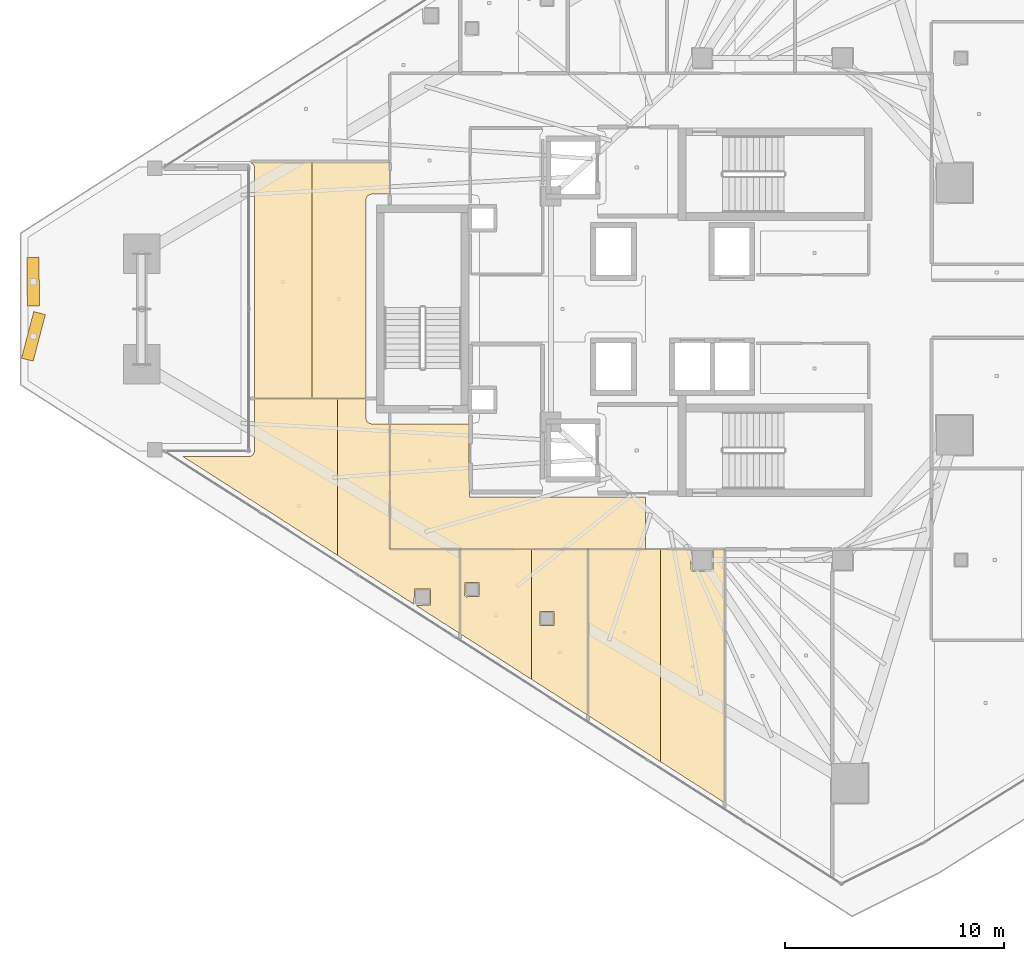
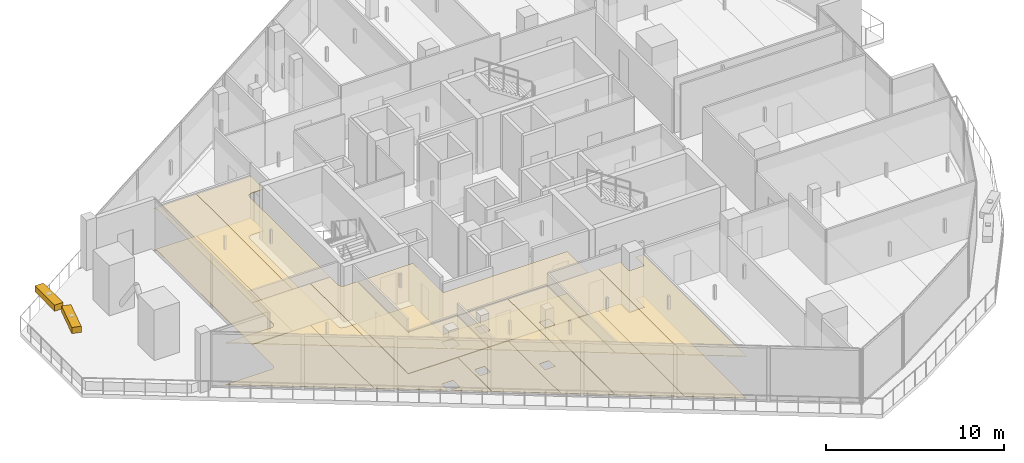
# One storey, part 27 of 32: 18 coverings, 2 shading devices.
"""IFC4 building model written with IfcOpenShell, lengths in metres."""

from ifc_helpers import new_model, si_unit, direction, frame, origin, origin_2d, place, context, subcontext, project, spatial, polyline, rectangle, outline, extrude, material, layer, layer_set, type_object, element, save


model = new_model("IFC4")

# Units and contexts
model_context = context("Model", 3, precision=1e-05, world=origin(), true_north=direction((0.0, 1.0)))
body_context = subcontext(model_context, "Body", "Model", "MODEL_VIEW")
ifc_project = project(units=[si_unit("LENGTHUNIT", "METRE"), si_unit("AREAUNIT", "SQUARE_METRE"), si_unit("VOLUMEUNIT", "CUBIC_METRE"), si_unit("PLANEANGLEUNIT", "RADIAN"), si_unit("MASSUNIT", "GRAM", prefix="KILO")], contexts=[model_context])

# Site, building, storey
site_placement = place(None, origin())
site = spatial("IfcSite", under=ifc_project, at=site_placement, CompositionType="ELEMENT")
building_placement = place(site_placement, origin())
building = spatial("IfcBuilding", under=site, at=building_placement, Name="Qorvath Tower", CompositionType="ELEMENT")
storey_placement = place(building_placement, frame((0.0, 0.0, 233.39990234375)))
storey = spatial("IfcBuildingStorey", under=building, at=storey_placement, Name="L54", CompositionType="ELEMENT", Elevation=233.39990234375)

# Coverings
ifc_material_1 = material(Name="Acoustic mineral fibre ceiling tile", Category="gypsum")
ifc_layer_1 = layer(ifc_material_1, 0.030029296875)
ifc_layer_set_1 = layer_set([ifc_layer_1], Name="COV-CEIL")
covering_type_1 = type_object("IfcCoveringType", Name="COV-CEIL", PredefinedType="CEILING", material=ifc_layer_set_1)
covering_1_placement = place(storey_placement, frame((0.0, 0.0, 2.85009765625)))
element("IfcCovering", 1, at=covering_1_placement, inside=storey, type_object=covering_type_1, Name="L54 Suspended Acoustic Ceiling 007", PredefinedType="CEILING", context=body_context, shape_type="SweptSolid", body=[
    extrude(outline(polyline([(-34.22509765625, -8.580078125), (-34.251220703125, -5.239990234375), (-37.844970703125, -5.239990234375), (-37.844970703125, -10.945068359375), (-26.183349609375, -10.945068359375), (-26.183349609375, -8.574951171875), (-34.22509765625, -8.580078125)])), origin(), (0.0, 0.0, 1.0), 0.030029296875),
])
covering_2_placement = place(storey_placement, frame((0.0, 0.0, 2.85009765625)))
element("IfcCovering", 2, at=covering_2_placement, inside=storey, type_object=covering_type_1, Name="L54 Suspended Acoustic Ceiling 019", PredefinedType="CEILING", context=body_context, shape_type="SweptSolid", body=[
    extrude(outline(polyline([(-34.64501953125, -10.962890625), (-34.64501953125, -14.8134765625), (-31.388671875, -16.89453125), (-31.388671875, -10.962890625), (-34.64501953125, -10.962890625)]), holes=[polyline([(-34.439208984375, -13.0673828125), (-34.421630859375, -12.47509765625), (-33.786865234375, -12.47509765625), (-33.786865234375, -13.10986328125), (-34.379150390625, -13.12744140625), (-34.439208984375, -13.0673828125)])]), origin(), (0.0, 0.0, 1.0), 0.030029296875),
])
covering_3_placement = place(storey_placement, frame((0.0, 0.0, 2.85009765625)))
element("IfcCovering", 3, at=covering_3_placement, inside=storey, type_object=covering_type_1, Name="L54 Suspended Acoustic Ceiling 020", PredefinedType="CEILING", context=body_context, shape_type="SweptSolid", body=[
    extrude(outline(polyline([(-31.388671875, -10.962890625), (-31.388671875, -16.89453125), (-28.816162109375, -18.538818359375), (-28.816162109375, -10.962890625), (-31.388671875, -10.962890625)]), holes=[polyline([(-30.99462890625, -14.441650390625), (-30.99462890625, -13.806884765625), (-30.35986328125, -13.806884765625), (-30.35986328125, -14.441650390625), (-30.99462890625, -14.441650390625)])]), origin(), (0.0, 0.0, 1.0), 0.030029296875),
])
covering_4_placement = place(storey_placement, frame((0.0, 0.0, 2.85009765625)))
element("IfcCovering", 4, at=covering_4_placement, inside=storey, type_object=covering_type_1, Name="L54 Suspended Acoustic Ceiling 021", PredefinedType="CEILING", context=body_context, shape_type="SweptSolid", body=[
    extrude(outline(polyline([(-28.798095703125, -10.962890625), (-28.798095703125, -18.55029296875), (-25.512451171875, -20.650390625), (-25.512451171875, -10.962890625), (-28.798095703125, -10.962890625)])), origin(), (0.0, 0.0, 1.0), 0.030029296875),
])
covering_5_placement = place(storey_placement, frame((0.0, 0.0, 2.85009765625)))
element("IfcCovering", 5, at=covering_5_placement, inside=storey, type_object=covering_type_1, Name="L54 Suspended Acoustic Ceiling 022", PredefinedType="CEILING", context=body_context, shape_type="SweptSolid", body=[
    extrude(outline(polyline([(-25.512451171875, -10.962890625), (-25.512451171875, -20.650390625), (-22.592041015625, -22.516845703125), (-22.592041015625, -10.962890625), (-23.105224609375, -10.962890625), (-23.107666015625, -11.9423828125), (-24.050048828125, -11.9599609375), (-24.110107421875, -11.89990234375), (-24.0947265625, -10.962890625), (-25.512451171875, -10.962890625)])), origin(), (0.0, 0.0, 1.0), 0.030029296875),
])
covering_6_placement = place(storey_placement, frame((0.0, 0.0, 2.85009765625)))
element("IfcCovering", 6, at=covering_6_placement, inside=storey, type_object=covering_type_1, Name="L54 Suspended Acoustic Ceiling 037", PredefinedType="CEILING", context=body_context, shape_type="SweptSolid", body=[
    extrude(outline(polyline([(-44.10888671875, -6.658203125), (-44.2392578125, -6.727294921875), (-47.28955078125, -6.73193359375), (-40.242919921875, -11.235595703125), (-40.242919921875, -4.09130859375), (-44.032958984375, -4.09130859375), (-44.0341796875, -6.50146484375), (-44.10888671875, -6.658203125)])), origin(), (0.0, 0.0, 1.0), 0.030029296875),
])
covering_7_placement = place(storey_placement, frame((0.0, 0.0, 2.85009765625)))
element("IfcCovering", 7, at=covering_7_placement, inside=storey, type_object=covering_type_1, Name="L54 Suspended Acoustic Ceiling 038", PredefinedType="CEILING", context=body_context, shape_type="SweptSolid", body=[
    extrude(outline(polyline([(-40.242919921875, -4.09130859375), (-40.242919921875, -11.235595703125), (-36.745361328125, -13.470947265625), (-36.732177734375, -12.76806640625), (-35.997314453125, -12.76806640625), (-35.997314453125, -13.5029296875), (-36.66796875, -13.5205078125), (-34.6630859375, -14.802001953125), (-34.6630859375, -10.962890625), (-37.863037109375, -10.9580078125), (-37.863037109375, -5.239990234375), (-38.699951171875, -5.239990234375), (-38.876708984375, -5.166748046875), (-38.949951171875, -4.989990234375), (-38.949951171875, -4.09130859375), (-40.242919921875, -4.09130859375)])), origin(), (0.0, 0.0, 1.0), 0.030029296875),
])
covering_8_placement = place(storey_placement, frame((0.0, 0.0, 2.85009765625)))
element("IfcCovering", 8, at=covering_8_placement, inside=storey, type_object=covering_type_1, Name="L54 Suspended Acoustic Ceiling 039", PredefinedType="CEILING", context=body_context, shape_type="SweptSolid", body=[
    extrude(outline(polyline([(-44.037841796875, 6.52587890625), (-44.032958984375, -4.0732421875), (-41.4052734375, -4.0732421875), (-41.4052734375, 6.711181640625), (-44.197265625, 6.711181640625), (-44.037841796875, 6.52587890625)])), origin(), (0.0, 0.0, 1.0), 0.030029296875),
])
covering_9_placement = place(storey_placement, frame((0.0, 0.0, 2.85009765625)))
element("IfcCovering", 9, at=covering_9_placement, inside=storey, type_object=covering_type_1, Name="L54 Suspended Acoustic Ceiling 040", PredefinedType="CEILING", context=body_context, shape_type="SweptSolid", body=[
    extrude(outline(polyline([(-41.4052734375, 6.711181640625), (-41.4052734375, -4.0732421875), (-38.949951171875, -4.0732421875), (-38.949951171875, 4.989990234375), (-38.876708984375, 5.166748046875), (-38.699951171875, 5.239990234375), (-37.863037109375, 5.239990234375), (-37.863037109375, 6.711181640625), (-41.4052734375, 6.711181640625)])), origin(), (0.0, 0.0, 1.0), 0.030029296875),
])
ifc_material_2 = material(Name="Low-VOC modular carpet tile", Category="textile")
ifc_layer_2 = layer(ifc_material_2, 0.014892578125)
ifc_layer_set_2 = layer_set([ifc_layer_2], Name="COV-FLOOR-CPT")
covering_type_2 = type_object("IfcCoveringType", Name="COV-FLOOR-CPT", PredefinedType="FLOORING", material=ifc_layer_set_2)
covering_10_placement = place(storey_placement, origin())
element("IfcCovering", 10, at=covering_10_placement, inside=storey, type_object=covering_type_2, Name="L54 Floor Finish 019", PredefinedType="FLOORING", context=body_context, shape_type="SweptSolid", body=[
    extrude(outline(polyline([(-34.64501953125, -10.962890625), (-34.64501953125, -14.8134765625), (-31.388671875, -16.89453125), (-31.388671875, -10.962890625), (-34.64501953125, -10.962890625)]), holes=[polyline([(-34.439208984375, -13.0673828125), (-34.421630859375, -12.47509765625), (-33.786865234375, -12.47509765625), (-33.786865234375, -13.10986328125), (-34.379150390625, -13.12744140625), (-34.439208984375, -13.0673828125)])]), origin(), (0.0, 0.0, 1.0), 0.01513671875),
])
covering_11_placement = place(storey_placement, origin())
element("IfcCovering", 11, at=covering_11_placement, inside=storey, type_object=covering_type_2, Name="L54 Floor Finish 020", PredefinedType="FLOORING", context=body_context, shape_type="SweptSolid", body=[
    extrude(outline(polyline([(-31.388671875, -10.962890625), (-31.388671875, -16.89453125), (-28.816162109375, -18.538818359375), (-28.816162109375, -10.962890625), (-31.388671875, -10.962890625)]), holes=[polyline([(-30.99462890625, -14.441650390625), (-30.99462890625, -13.806884765625), (-30.35986328125, -13.806884765625), (-30.35986328125, -14.441650390625), (-30.99462890625, -14.441650390625)])]), origin(), (0.0, 0.0, 1.0), 0.01513671875),
])
covering_12_placement = place(storey_placement, origin())
element("IfcCovering", 12, at=covering_12_placement, inside=storey, type_object=covering_type_2, Name="L54 Floor Finish 021", PredefinedType="FLOORING", context=body_context, shape_type="SweptSolid", body=[
    extrude(outline(polyline([(-28.798095703125, -10.962890625), (-28.798095703125, -18.55029296875), (-25.512451171875, -20.650390625), (-25.512451171875, -10.962890625), (-28.798095703125, -10.962890625)])), origin(), (0.0, 0.0, 1.0), 0.01513671875),
])
covering_13_placement = place(storey_placement, origin())
element("IfcCovering", 13, at=covering_13_placement, inside=storey, type_object=covering_type_2, Name="L54 Floor Finish 022", PredefinedType="FLOORING", context=body_context, shape_type="SweptSolid", body=[
    extrude(outline(polyline([(-25.512451171875, -10.962890625), (-25.512451171875, -20.650390625), (-22.592041015625, -22.516845703125), (-22.592041015625, -10.962890625), (-23.105224609375, -10.962890625), (-23.107666015625, -11.9423828125), (-24.050048828125, -11.9599609375), (-24.110107421875, -11.89990234375), (-24.0947265625, -10.962890625), (-25.512451171875, -10.962890625)])), origin(), (0.0, 0.0, 1.0), 0.01513671875),
])
covering_14_placement = place(storey_placement, origin())
element("IfcCovering", 14, at=covering_14_placement, inside=storey, type_object=covering_type_2, Name="L54 Floor Finish 037", PredefinedType="FLOORING", context=body_context, shape_type="SweptSolid", body=[
    extrude(outline(polyline([(-44.10888671875, -6.658203125), (-44.2392578125, -6.727294921875), (-47.28955078125, -6.73193359375), (-40.242919921875, -11.235595703125), (-40.242919921875, -4.09130859375), (-44.032958984375, -4.09130859375), (-44.0341796875, -6.50146484375), (-44.10888671875, -6.658203125)])), origin(), (0.0, 0.0, 1.0), 0.01513671875),
])
covering_15_placement = place(storey_placement, origin())
element("IfcCovering", 15, at=covering_15_placement, inside=storey, type_object=covering_type_2, Name="L54 Floor Finish 038", PredefinedType="FLOORING", context=body_context, shape_type="SweptSolid", body=[
    extrude(outline(polyline([(-40.242919921875, -4.09130859375), (-40.242919921875, -11.235595703125), (-36.745361328125, -13.470947265625), (-36.732177734375, -12.76806640625), (-35.997314453125, -12.76806640625), (-35.997314453125, -13.5029296875), (-36.66796875, -13.5205078125), (-34.6630859375, -14.802001953125), (-34.6630859375, -10.962890625), (-37.863037109375, -10.9580078125), (-37.863037109375, -5.239990234375), (-38.699951171875, -5.239990234375), (-38.876708984375, -5.166748046875), (-38.949951171875, -4.989990234375), (-38.949951171875, -4.09130859375), (-40.242919921875, -4.09130859375)])), origin(), (0.0, 0.0, 1.0), 0.01513671875),
])
covering_16_placement = place(storey_placement, origin())
element("IfcCovering", 16, at=covering_16_placement, inside=storey, type_object=covering_type_2, Name="L54 Floor Finish 039", PredefinedType="FLOORING", context=body_context, shape_type="SweptSolid", body=[
    extrude(outline(polyline([(-44.037841796875, 6.52587890625), (-44.032958984375, -4.0732421875), (-41.4052734375, -4.0732421875), (-41.4052734375, 6.711181640625), (-44.197265625, 6.711181640625), (-44.037841796875, 6.52587890625)])), origin(), (0.0, 0.0, 1.0), 0.01513671875),
])
covering_17_placement = place(storey_placement, origin())
element("IfcCovering", 17, at=covering_17_placement, inside=storey, type_object=covering_type_2, Name="L54 Floor Finish 040", PredefinedType="FLOORING", context=body_context, shape_type="SweptSolid", body=[
    extrude(outline(polyline([(-41.4052734375, 6.711181640625), (-41.4052734375, -4.0732421875), (-38.949951171875, -4.0732421875), (-38.949951171875, 4.989990234375), (-38.876708984375, 5.166748046875), (-38.699951171875, 5.239990234375), (-37.863037109375, 5.239990234375), (-37.863037109375, 6.711181640625), (-41.4052734375, 6.711181640625)])), origin(), (0.0, 0.0, 1.0), 0.01513671875),
])
ifc_material_3 = material(Name="Polished epoxy terrazzo flooring", Category="concrete")
ifc_layer_3 = layer(ifc_material_3, 0.02001953125)
ifc_layer_set_3 = layer_set([ifc_layer_3], Name="COV-FLOOR-TRZ")
covering_type_3 = type_object("IfcCoveringType", Name="COV-FLOOR-TRZ", PredefinedType="FLOORING", material=ifc_layer_set_3)
covering_18_placement = place(storey_placement, origin())
element("IfcCovering", 18, at=covering_18_placement, inside=storey, type_object=covering_type_3, Name="L54 Floor Finish 007", PredefinedType="FLOORING", context=body_context, shape_type="SweptSolid", body=[
    extrude(outline(polyline([(-34.22509765625, -8.580078125), (-34.251220703125, -5.239990234375), (-37.844970703125, -5.239990234375), (-37.844970703125, -10.945068359375), (-26.183349609375, -10.945068359375), (-26.183349609375, -8.574951171875), (-34.22509765625, -8.580078125)])), origin(), (0.0, 0.0, 1.0), 0.01513671875),
])

# Shading devices
ifc_material_4 = material(Name="Anodised bronze-champagne aluminium", Category="aluminium")
shading_device_type = type_object("IfcShadingDeviceType", Name="SD-LOUVRE", PredefinedType="JALOUSIE", material=ifc_material_4)
for number, where, z_axis, x_axis, name in (
    (19, (-54.121826171875, 1.2470703125, 3.360107421875), (0.0, 0.0, 1.0), (0.003382441641, -0.999994279528, 0.0), "Sinusoidal Wave Louvre Blade L54-01"),
    (20, (-54.110595703125, -1.2470703125, 3.360107421875), (0.0, 0.0, 1.0), (-0.254524307961, -0.967066376552, 0.0), "Sinusoidal Wave Louvre Blade L54-02"),
):
    element("IfcShadingDevice", number, at=place(storey_placement, frame(where, z_axis=z_axis, x_axis=x_axis)), inside=storey, type_object=shading_device_type, Name=name, PredefinedType="NOTDEFINED", context=body_context, shape_type="SweptSolid", body=[
        extrude(rectangle(XDim=2.199951171875, YDim=0.550048828125, at=origin_2d()), origin(), (0.0, 0.0, 1.0), 0.419921875),
    ])

save(model, "model.ifc")
